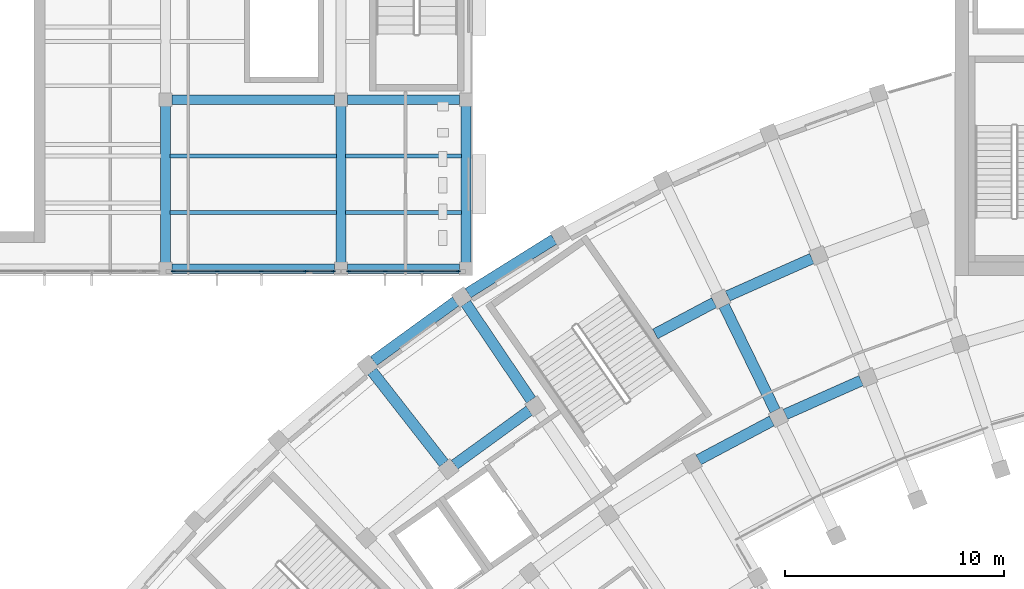
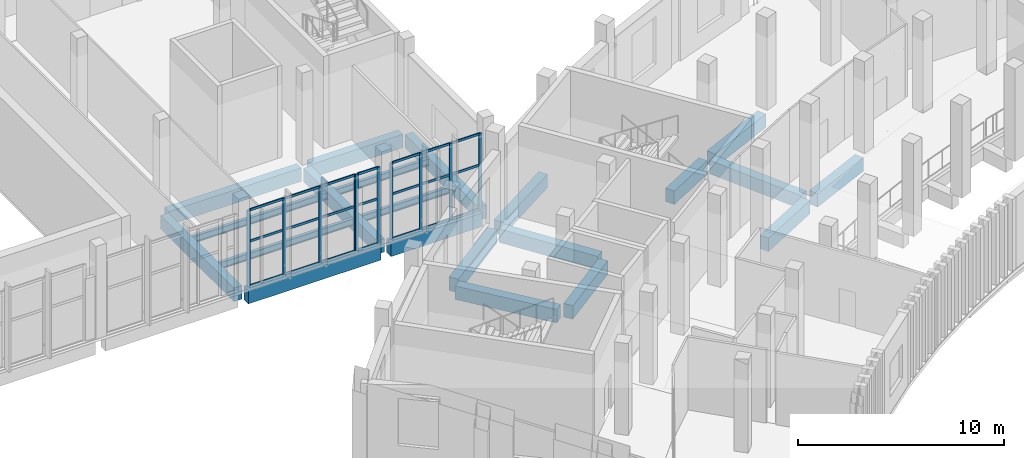
# One storey, part 8 of 112: 31 members, 21 beams, 3 elements without a shape of their own.
"""IFC4 building model written with IfcOpenShell, lengths in metres."""

from ifc_helpers import new_model, si_unit, direction, frame, origin, origin_2d, place, context, subcontext, project, spatial, rectangle, i_section, extrude, material, layer, layer_set, material_profile, profile_set, type_object, element, aggregate, save


model = new_model("IFC4")

# Units and contexts
model_context = context("Model", 3, precision=1e-05, world=origin(), true_north=direction((0.0, 1.0)))
body_context = subcontext(model_context, "Body", "Model", "MODEL_VIEW")
ifc_project = project(units=[si_unit("LENGTHUNIT", "METRE"), si_unit("AREAUNIT", "SQUARE_METRE"), si_unit("VOLUMEUNIT", "CUBIC_METRE"), si_unit("PLANEANGLEUNIT", "RADIAN"), si_unit("MASSUNIT", "GRAM", prefix="KILO")], contexts=[model_context])

# Site, building, storey
site_placement = place(None, origin())
site = spatial("IfcSite", under=ifc_project, at=site_placement, CompositionType="ELEMENT")
building_placement = place(site_placement, origin())
building = spatial("IfcBuilding", under=site, at=building_placement, Name="Lunette Opera House", CompositionType="ELEMENT")
storey_placement = place(building_placement, frame((0.0, 0.0, 6.0)))
storey = spatial("IfcBuildingStorey", under=building, at=storey_placement, Name="L01", CompositionType="ELEMENT", Elevation=6.0)

# Curtain wall, members
ifc_material_1 = material(Name="Aluminium", Category="aluminium")
ifc_layer = layer(ifc_material_1, 0.179931640625)
ifc_layer_set = layer_set([ifc_layer], Name="Aluminium")
curtain_wall_type = type_object("IfcCurtainWallType", Name="SUN FACE CURTAIN WALL", PredefinedType="NOTDEFINED", material=ifc_layer_set)
curtain_wall_1_placement = place(storey_placement, origin())
curtain_wall_1 = element("IfcCurtainWall", 1, at=curtain_wall_1_placement, inside=storey, type_object=curtain_wall_type, Name="Sun Face Curtain Wall F23-2 L01", PredefinedType="NOTDEFINED")
ifc_material_2 = material(Name="Aluminium", Category="aluminium")
ifc_material_profile_1 = material_profile(ifc_material_2, rectangle(XDim=0.06005859375, YDim=0.179931640625, at=origin_2d()), Name="MULLION 60 X 180")
ifc_profile_set_1 = profile_set([ifc_material_profile_1], Name="Aluminium")
member_type_1 = type_object("IfcMemberType", Name="MULLION 60 X 180", PredefinedType="MULLION", material=ifc_profile_set_1)
member_1_placement = place(storey_placement, frame((40.360107421875, 64.18310546875, 0.0), z_axis=(0.0, 0.0, 1.0), x_axis=(0.0, 1.0, 0.0)))
member_1 = element("IfcMember", 2, at=member_1_placement, type_object=member_type_1, Name="RW-X2026 mullion 1", PredefinedType="MULLION", context=body_context, shape_type="SweptSolid", body=[
    extrude(rectangle(XDim=0.06005859375, YDim=0.179931640625, at=origin_2d()), origin(), (0.0, 0.0, 1.0), 4.550048828125),
])
member_2_placement = place(storey_placement, frame((42.351318359375, 64.18310546875, 0.0), z_axis=(0.0, 0.0, 1.0), x_axis=(0.0, 1.0, 0.0)))
member_2 = element("IfcMember", 3, at=member_2_placement, type_object=member_type_1, Name="RW-X2026 mullion 2", PredefinedType="MULLION", context=body_context, shape_type="SweptSolid", body=[
    extrude(rectangle(XDim=0.06005859375, YDim=0.179931640625, at=origin_2d()), origin(), (0.0, 0.0, 1.0), 4.550048828125),
])
member_3_placement = place(storey_placement, frame((44.37255859375, 64.18310546875, 0.0), z_axis=(0.0, 0.0, 1.0), x_axis=(0.0, 1.0, 0.0)))
member_3 = element("IfcMember", 4, at=member_3_placement, type_object=member_type_1, Name="RW-X2026 mullion 3", PredefinedType="MULLION", context=body_context, shape_type="SweptSolid", body=[
    extrude(rectangle(XDim=0.06005859375, YDim=0.179931640625, at=origin_2d()), origin(), (0.0, 0.0, 1.0), 4.550048828125),
])
member_4_placement = place(storey_placement, frame((46.364013671875, 64.18310546875, 0.0), z_axis=(0.0, 0.0, 1.0), x_axis=(0.0, 1.0, 0.0)))
member_4 = element("IfcMember", 5, at=member_4_placement, type_object=member_type_1, Name="RW-X2026 mullion 4", PredefinedType="MULLION", context=body_context, shape_type="SweptSolid", body=[
    extrude(rectangle(XDim=0.06005859375, YDim=0.179931640625, at=origin_2d()), origin(), (0.0, 0.0, 1.0), 4.550048828125),
])

curtain_wall_2_placement = place(storey_placement, origin())
curtain_wall_2 = element("IfcCurtainWall", 6, at=curtain_wall_2_placement, inside=storey, type_object=curtain_wall_type, Name="Sun Face Curtain Wall F24-1 L01", PredefinedType="NOTDEFINED")
member_5_placement = place(storey_placement, frame((46.424072265625, 64.18310546875, 0.0), z_axis=(0.0, 0.0, 1.0), x_axis=(0.0, 1.0, 0.0)))
member_5 = element("IfcMember", 7, at=member_5_placement, type_object=member_type_1, Name="RW-X2027 mullion 1", PredefinedType="MULLION", context=body_context, shape_type="SweptSolid", body=[
    extrude(rectangle(XDim=0.06005859375, YDim=0.179931640625, at=origin_2d()), origin(), (0.0, 0.0, 1.0), 4.550048828125),
])
member_6_placement = place(storey_placement, frame((47.639892578125, 64.18310546875, 0.0), z_axis=(0.0, 0.0, 1.0), x_axis=(0.0, 1.0, 0.0)))
member_6 = element("IfcMember", 8, at=member_6_placement, type_object=member_type_1, Name="RW-X2027 mullion 2", PredefinedType="MULLION", context=body_context, shape_type="SweptSolid", body=[
    extrude(rectangle(XDim=0.06005859375, YDim=0.179931640625, at=origin_2d()), origin(), (0.0, 0.0, 1.0), 4.550048828125),
])

curtain_wall_3_placement = place(storey_placement, origin())
curtain_wall_3 = element("IfcCurtainWall", 9, at=curtain_wall_3_placement, inside=storey, type_object=curtain_wall_type, Name="Sun Face Curtain Wall F24-2 L01", PredefinedType="NOTDEFINED")
member_7_placement = place(storey_placement, frame((48.360107421875, 64.18310546875, 0.0), z_axis=(0.0, 0.0, 1.0), x_axis=(0.0, 1.0, 0.0)))
member_7 = element("IfcMember", 10, at=member_7_placement, type_object=member_type_1, Name="RW-X2028 mullion 1", PredefinedType="MULLION", context=body_context, shape_type="SweptSolid", body=[
    extrude(rectangle(XDim=0.06005859375, YDim=0.179931640625, at=origin_2d()), origin(), (0.0, 0.0, 1.0), 4.550048828125),
])
member_8_placement = place(storey_placement, frame((50.010009765625, 64.18310546875, 0.0), z_axis=(0.0, 0.0, 1.0), x_axis=(0.0, 1.0, 0.0)))
member_8 = element("IfcMember", 11, at=member_8_placement, type_object=member_type_1, Name="RW-X2028 mullion 2", PredefinedType="MULLION", context=body_context, shape_type="SweptSolid", body=[
    extrude(rectangle(XDim=0.06005859375, YDim=0.179931640625, at=origin_2d()), origin(), (0.0, 0.0, 1.0), 4.550048828125),
])
member_9_placement = place(storey_placement, frame((51.68994140625, 64.18310546875, 0.0), z_axis=(0.0, 0.0, 1.0), x_axis=(0.0, 1.0, 0.0)))
member_9 = element("IfcMember", 12, at=member_9_placement, type_object=member_type_1, Name="RW-X2028 mullion 3", PredefinedType="MULLION", context=body_context, shape_type="SweptSolid", body=[
    extrude(rectangle(XDim=0.06005859375, YDim=0.179931640625, at=origin_2d()), origin(), (0.0, 0.0, 1.0), 4.550048828125),
])
member_10_placement = place(storey_placement, frame((53.340087890625, 64.18310546875, 0.0), z_axis=(0.0, 0.0, 1.0), x_axis=(0.0, 1.0, 0.0)))
member_10 = element("IfcMember", 13, at=member_10_placement, type_object=member_type_1, Name="RW-X2028 mullion 4", PredefinedType="MULLION", context=body_context, shape_type="SweptSolid", body=[
    extrude(rectangle(XDim=0.06005859375, YDim=0.179931640625, at=origin_2d()), origin(), (0.0, 0.0, 1.0), 4.550048828125),
])

# Beams
ifc_material_3 = material(Name="Concrete C35/45", Category="concrete")
ifc_material_profile_2 = material_profile(ifc_material_3, rectangle(XDim=0.449951171875, YDim=0.800048828125, at=origin_2d()), Name="RC BEAM 450X800")
ifc_profile_set_2 = profile_set([ifc_material_profile_2], Name="Concrete C35/45")
beam_type_1 = type_object("IfcBeamType", Name="RC BEAM 450X800", PredefinedType="BEAM", material=ifc_profile_set_2)
for number, where, z_axis, x_axis, name in (
    (14, (40.0, 64.590087890625, -0.550048828125), (0.0, 1.0, 0.0), (-1.0, 0.0, 0.0), "beam-RW-L01-L01-GY40"),
    (15, (48.0, 64.590087890625, -0.550048828125), (0.0, 1.0, 0.0), (-1.0, 0.0, 0.0), "beam-RW-L01-L01-GY50"),
    (16, (53.699951171875, 64.590087890625, -0.550048828125), (0.0, 1.0, 0.0), (-1.0, 0.0, 0.0), "beam-RW-L01-L01-GY60"),
):
    element("IfcBeam", number, at=place(storey_placement, frame(where, z_axis=z_axis, x_axis=x_axis)), inside=storey, type_object=beam_type_1, Name=name, PredefinedType="BEAM", context=body_context, shape_type="SweptSolid", body=[
        extrude(rectangle(XDim=0.449951171875, YDim=0.800048828125, at=origin_2d()), origin(), (0.0, 0.0, 1.0), 7.119873046875),
    ])
beam_1_placement = place(storey_placement, frame((40.2900390625, 64.300048828125, -0.550048828125), z_axis=(1.0, 0.0, 0.0), x_axis=(0.0, 1.0, 0.0)))
element("IfcBeam", 17, at=beam_1_placement, inside=storey, type_object=beam_type_1, Name="beam-RW-L01-L01-GX40", PredefinedType="BEAM", context=body_context, shape_type="SweptSolid", body=[
    extrude(rectangle(XDim=0.449951171875, YDim=0.800048828125, at=origin_2d()), origin(), (0.0, 0.0, 1.0), 7.419921875),
])
beam_2_placement = place(storey_placement, frame((48.2900390625, 64.300048828125, -0.550048828125), z_axis=(1.0, 0.0, 0.0), x_axis=(0.0, 1.0, 0.0)))
element("IfcBeam", 18, at=beam_2_placement, inside=storey, type_object=beam_type_1, Name="beam-RW-L01-L01-GX50", PredefinedType="BEAM", context=body_context, shape_type="SweptSolid", body=[
    extrude(rectangle(XDim=0.449951171875, YDim=0.800048828125, at=origin_2d()), origin(), (0.0, 0.0, 1.0), 5.119873046875),
])
beam_3_placement = place(storey_placement, frame((40.2900390625, 72.0, -0.550048828125), z_axis=(1.0, 0.0, 0.0), x_axis=(0.0, 1.0, 0.0)))
element("IfcBeam", 19, at=beam_3_placement, inside=storey, type_object=beam_type_1, Name="beam-RW-L01-L01-GX41", PredefinedType="BEAM", context=body_context, shape_type="SweptSolid", body=[
    extrude(rectangle(XDim=0.449951171875, YDim=0.800048828125, at=origin_2d()), origin(), (0.0, 0.0, 1.0), 7.419921875),
])
beam_4_placement = place(storey_placement, frame((48.2900390625, 72.0, -0.550048828125), z_axis=(1.0, 0.0, 0.0), x_axis=(0.0, 1.0, 0.0)))
element("IfcBeam", 20, at=beam_4_placement, inside=storey, type_object=beam_type_1, Name="beam-RW-L01-L01-GX51", PredefinedType="BEAM", context=body_context, shape_type="SweptSolid", body=[
    extrude(rectangle(XDim=0.449951171875, YDim=0.800048828125, at=origin_2d()), origin(), (0.0, 0.0, 1.0), 5.119873046875),
])
ifc_material_4 = material(Name="Concrete C35/45", Category="concrete")
ifc_material_profile_3 = material_profile(ifc_material_4, rectangle(XDim=0.5, YDim=0.800048828125, at=origin_2d()), Name="RC BEAM 500X800")
ifc_profile_set_3 = profile_set([ifc_material_profile_3], Name="Concrete C35/45")
beam_type_2 = type_object("IfcBeamType", Name="RC BEAM 500X800", PredefinedType="BEAM", material=ifc_profile_set_3)
for number, where, z_axis, x_axis, name in (
    (21, (52.694091796875, 55.428955078125, -0.6201171875), (-0.615648494847, 0.788020894896, 0.0), (-0.788020894896, -0.615648494847, 0.0), "beam-FC-L01-L01-RB-RL-04-4"),
    (22, (56.666015625, 58.31494140625, -0.6201171875), (-0.559245834689, 0.829001867539, 0.0), (-0.829001867539, -0.559245834689, 0.0), "beam-FC-L01-L01-RB-RL-05-4"),
):
    element("IfcBeam", number, at=place(storey_placement, frame(where, z_axis=z_axis, x_axis=x_axis)), inside=storey, type_object=beam_type_2, Name=name, PredefinedType="BEAM", context=body_context, shape_type="SweptSolid", body=[
        extrude(rectangle(XDim=0.5, YDim=0.800048828125, at=origin_2d()), origin(), (0.0, 0.0, 1.0), 5.31982421875),
    ])
beam_5_placement = place(storey_placement, frame((67.794921875, 57.827880859375, -0.6201171875), z_axis=(-0.438307908837, 0.898824886756, 0.0), x_axis=(-0.898824886756, -0.438307908837, 0.0)))
element("IfcBeam", 23, at=beam_5_placement, inside=storey, type_object=beam_type_2, Name="beam-FC-L01-L01-RB-RL-07-3", PredefinedType="BEAM", context=body_context, shape_type="SweptSolid", body=[
    extrude(rectangle(XDim=0.5, YDim=0.800048828125, at=origin_2d()), origin(), (0.0, 0.0, 1.0), 5.320556640625),
])
for number, where, z_axis, x_axis, name in (
    (24, (64.300048828125, 55.5859375, -0.6201171875), (0.883049767383, 0.469279349988, 0.0), (-0.469279349988, 0.883049767383, 0.0), "beam-FC-L01-L01-RG-AR-B-RL-06"),
    (25, (68.2548828125, 57.660888671875, -0.6201171875), (0.913460283837, 0.406927892694, 0.0), (-0.406927892694, 0.913460283837, 0.0), "beam-FC-L01-L01-RG-AR-B-RL-07"),
):
    element("IfcBeam", number, at=place(storey_placement, frame(where, z_axis=z_axis, x_axis=x_axis)), inside=storey, type_object=beam_type_2, Name=name, PredefinedType="BEAM", context=body_context, shape_type="SweptSolid", body=[
        extrude(rectangle(XDim=0.5, YDim=0.800048828125, at=origin_2d()), origin(), (0.0, 0.0, 1.0), 3.786865234375),
    ])
beam_6_placement = place(storey_placement, frame((53.178955078125, 55.361083984375, -0.6201171875), z_axis=(0.8089996052, 0.587809185694, 0.0), x_axis=(-0.587809185694, 0.8089996052, 0.0)))
element("IfcBeam", 26, at=beam_6_placement, inside=storey, type_object=beam_type_2, Name="beam-FC-L01-L01-RG-AR-M2-RL-04", PredefinedType="BEAM", context=body_context, shape_type="SweptSolid", body=[
    extrude(rectangle(XDim=0.5, YDim=0.800048828125, at=origin_2d()), origin(), (0.0, 0.0, 1.0), 4.205322265625),
])
beam_7_placement = place(storey_placement, frame((62.324951171875, 61.325927734375, -0.6201171875), z_axis=(0.882889359825, 0.469581066811, 0.0), x_axis=(-0.469581066811, 0.882889359825, 0.0)))
element("IfcBeam", 27, at=beam_7_placement, inside=storey, type_object=beam_type_2, Name="beam-FC-L01-L01-RG-AR-M2-RL-06", PredefinedType="BEAM", context=body_context, shape_type="SweptSolid", body=[
    extrude(rectangle(XDim=0.5, YDim=0.800048828125, at=origin_2d()), origin(), (0.0, 0.0, 1.0), 3.045654296875),
])
beam_8_placement = place(storey_placement, frame((65.625, 63.053955078125, -0.6201171875), z_axis=(0.913514477547, 0.40680621838, 0.0), x_axis=(-0.40680621838, 0.913514477547, 0.0)))
element("IfcBeam", 28, at=beam_8_placement, inside=storey, type_object=beam_type_2, Name="beam-FC-L01-L01-RG-AR-M2-RL-07", PredefinedType="BEAM", context=body_context, shape_type="SweptSolid", body=[
    extrude(rectangle(XDim=0.5, YDim=0.800048828125, at=origin_2d()), origin(), (0.0, 0.0, 1.0), 4.205810546875),
])
for number, where, z_axis, x_axis, name in (
    (29, (49.485107421875, 60.089111328125, -0.6201171875), (0.809037359893, 0.58775722054, 0.0), (-0.58775722054, 0.809037359893, 0.0), "beam-FC-L01-L01-RG-AR-C-RL-04"),
    (30, (53.7900390625, 63.18701171875, -0.6201171875), (0.847962706809, 0.530055891261, 0.0), (-0.530055891261, 0.847962706809, 0.0), "beam-FC-L01-L01-RG-AR-C-RL-05"),
):
    element("IfcBeam", number, at=place(storey_placement, frame(where, z_axis=z_axis, x_axis=x_axis)), inside=storey, type_object=beam_type_2, Name=name, PredefinedType="BEAM", context=body_context, shape_type="SweptSolid", body=[
        extrude(rectangle(XDim=0.5, YDim=0.800048828125, at=origin_2d()), origin(), (0.0, 0.0, 1.0), 4.6240234375),
    ])
ifc_material_5 = material(Name="Steel S355", Category="steel")
ifc_material_profile_4 = material_profile(ifc_material_5, i_section(OverallWidth=0.179931640625, OverallDepth=0.39990234375, WebThickness=0.008544921875, FlangeThickness=0.013427734375, FilletRadius=0.02099609375, at=origin_2d()), Name="IPE 400")
ifc_profile_set_4 = profile_set([ifc_material_profile_4], Name="Steel S355")
beam_type_3 = type_object("IfcBeamType", Name="STEEL BEAM IPE 400", PredefinedType="BEAM", material=ifc_profile_set_4)
for number, where, z_axis, x_axis, name in (
    (31, (40.215087890625, 66.866943359375, -0.35009765625), (1.0, 0.0, 0.0), (0.0, 1.0, 0.0), "beam-RW-L01-L01-SX401"),
    (32, (40.215087890625, 69.43310546875, -0.35009765625), (1.0, 0.0, 0.0), (0.0, 1.0, 0.0), "beam-RW-L01-L01-SX402"),
):
    element("IfcBeam", number, at=place(storey_placement, frame(where, z_axis=z_axis, x_axis=x_axis)), inside=storey, type_object=beam_type_3, Name=name, PredefinedType="BEAM", context=body_context, shape_type="SweptSolid", body=[
        extrude(i_section(OverallWidth=0.179931640625, OverallDepth=0.39990234375, WebThickness=0.008544921875, FlangeThickness=0.013427734375, FilletRadius=0.02099609375, at=origin_2d()), origin(), (0.0, 0.0, 1.0), 7.56982421875),
    ])
for number, where, z_axis, x_axis, name in (
    (33, (48.215087890625, 66.866943359375, -0.35009765625), (1.0, 0.0, 0.0), (0.0, 1.0, 0.0), "beam-RW-L01-L01-SX501"),
    (34, (48.215087890625, 69.43310546875, -0.35009765625), (1.0, 0.0, 0.0), (0.0, 1.0, 0.0), "beam-RW-L01-L01-SX502"),
):
    element("IfcBeam", number, at=place(storey_placement, frame(where, z_axis=z_axis, x_axis=x_axis)), inside=storey, type_object=beam_type_3, Name=name, PredefinedType="BEAM", context=body_context, shape_type="SweptSolid", body=[
        extrude(i_section(OverallWidth=0.179931640625, OverallDepth=0.39990234375, WebThickness=0.008544921875, FlangeThickness=0.013427734375, FilletRadius=0.02099609375, at=origin_2d()), origin(), (0.0, 0.0, 1.0), 5.27001953125),
    ])

# Member
ifc_material_6 = material(Name="Aluminium", Category="aluminium")
ifc_material_profile_5 = material_profile(ifc_material_6, rectangle(XDim=0.06005859375, YDim=0.139892578125, at=origin_2d()), Name="TRANSOM 60 X 140")
ifc_profile_set_5 = profile_set([ifc_material_profile_5], Name="Aluminium")
member_type_2 = type_object("IfcMemberType", Name="TRANSOM 60 X 140", PredefinedType="USERDEFINED", material=ifc_profile_set_5)
member_11_placement = place(storey_placement, frame((40.389892578125, 64.18310546875, 0.030029296875), z_axis=(1.0, 0.0, 0.0), x_axis=(0.0, 1.0, 0.0)))
member_11 = element("IfcMember", 35, at=member_11_placement, type_object=member_type_2, Name="RW-X2026 transom 1.1", ObjectType="TRANSOM", PredefinedType="USERDEFINED", context=body_context, shape_type="SweptSolid", body=[
    extrude(rectangle(XDim=0.06005859375, YDim=0.139892578125, at=origin_2d()), origin(), (0.0, 0.0, 1.0), 1.931396484375),
])

member_12_placement = place(storey_placement, frame((40.389892578125, 64.18310546875, 2.675048828125), z_axis=(1.0, 0.0, 0.0), x_axis=(0.0, 1.0, 0.0)))
member_12 = element("IfcMember", 36, at=member_12_placement, type_object=member_type_2, Name="RW-X2026 transom 1.2", ObjectType="TRANSOM", PredefinedType="USERDEFINED", context=body_context, shape_type="SweptSolid", body=[
    extrude(rectangle(XDim=0.06005859375, YDim=0.139892578125, at=origin_2d()), origin(), (0.0, 0.0, 1.0), 1.931396484375),
])

member_13_placement = place(storey_placement, frame((40.389892578125, 64.18310546875, 4.52001953125), z_axis=(1.0, 0.0, 0.0), x_axis=(0.0, 1.0, 0.0)))
member_13 = element("IfcMember", 37, at=member_13_placement, type_object=member_type_2, Name="RW-X2026 transom 1.3", ObjectType="TRANSOM", PredefinedType="USERDEFINED", context=body_context, shape_type="SweptSolid", body=[
    extrude(rectangle(XDim=0.06005859375, YDim=0.139892578125, at=origin_2d()), origin(), (0.0, 0.0, 1.0), 1.931396484375),
])

member_14_placement = place(storey_placement, frame((42.38134765625, 64.18310546875, 0.030029296875), z_axis=(1.0, 0.0, 0.0), x_axis=(0.0, 1.0, 0.0)))
member_14 = element("IfcMember", 38, at=member_14_placement, type_object=member_type_2, Name="RW-X2026 transom 2.1", ObjectType="TRANSOM", PredefinedType="USERDEFINED", context=body_context, shape_type="SweptSolid", body=[
    extrude(rectangle(XDim=0.06005859375, YDim=0.139892578125, at=origin_2d()), origin(), (0.0, 0.0, 1.0), 1.96142578125),
])

member_15_placement = place(storey_placement, frame((42.38134765625, 64.18310546875, 2.675048828125), z_axis=(1.0, 0.0, 0.0), x_axis=(0.0, 1.0, 0.0)))
member_15 = element("IfcMember", 39, at=member_15_placement, type_object=member_type_2, Name="RW-X2026 transom 2.2", ObjectType="TRANSOM", PredefinedType="USERDEFINED", context=body_context, shape_type="SweptSolid", body=[
    extrude(rectangle(XDim=0.06005859375, YDim=0.139892578125, at=origin_2d()), origin(), (0.0, 0.0, 1.0), 1.96142578125),
])

member_16_placement = place(storey_placement, frame((42.38134765625, 64.18310546875, 4.52001953125), z_axis=(1.0, 0.0, 0.0), x_axis=(0.0, 1.0, 0.0)))
member_16 = element("IfcMember", 40, at=member_16_placement, type_object=member_type_2, Name="RW-X2026 transom 2.3", ObjectType="TRANSOM", PredefinedType="USERDEFINED", context=body_context, shape_type="SweptSolid", body=[
    extrude(rectangle(XDim=0.06005859375, YDim=0.139892578125, at=origin_2d()), origin(), (0.0, 0.0, 1.0), 1.96142578125),
])

member_17_placement = place(storey_placement, frame((44.402587890625, 64.18310546875, 0.030029296875), z_axis=(1.0, 0.0, 0.0), x_axis=(0.0, 1.0, 0.0)))
member_17 = element("IfcMember", 41, at=member_17_placement, type_object=member_type_2, Name="RW-X2026 transom 3.1", ObjectType="TRANSOM", PredefinedType="USERDEFINED", context=body_context, shape_type="SweptSolid", body=[
    extrude(rectangle(XDim=0.06005859375, YDim=0.139892578125, at=origin_2d()), origin(), (0.0, 0.0, 1.0), 1.931396484375),
])

member_18_placement = place(storey_placement, frame((44.402587890625, 64.18310546875, 2.675048828125), z_axis=(1.0, 0.0, 0.0), x_axis=(0.0, 1.0, 0.0)))
member_18 = element("IfcMember", 42, at=member_18_placement, type_object=member_type_2, Name="RW-X2026 transom 3.2", ObjectType="TRANSOM", PredefinedType="USERDEFINED", context=body_context, shape_type="SweptSolid", body=[
    extrude(rectangle(XDim=0.06005859375, YDim=0.139892578125, at=origin_2d()), origin(), (0.0, 0.0, 1.0), 1.931396484375),
])

member_19_placement = place(storey_placement, frame((44.402587890625, 64.18310546875, 4.52001953125), z_axis=(1.0, 0.0, 0.0), x_axis=(0.0, 1.0, 0.0)))
member_19 = element("IfcMember", 43, at=member_19_placement, type_object=member_type_2, Name="RW-X2026 transom 3.3", ObjectType="TRANSOM", PredefinedType="USERDEFINED", context=body_context, shape_type="SweptSolid", body=[
    extrude(rectangle(XDim=0.06005859375, YDim=0.139892578125, at=origin_2d()), origin(), (0.0, 0.0, 1.0), 1.931396484375),
])

aggregate(curtain_wall_1, [member_1, member_2, member_3, member_4, member_11, member_12, member_13, member_14, member_15, member_16, member_17, member_18, member_19])

member_20_placement = place(storey_placement, frame((46.4541015625, 64.18310546875, 0.030029296875), z_axis=(1.0, 0.0, 0.0), x_axis=(0.0, 1.0, 0.0)))
member_20 = element("IfcMember", 44, at=member_20_placement, type_object=member_type_2, Name="RW-X2027 transom 1.1", ObjectType="TRANSOM", PredefinedType="USERDEFINED", context=body_context, shape_type="SweptSolid", body=[
    extrude(rectangle(XDim=0.06005859375, YDim=0.139892578125, at=origin_2d()), origin(), (0.0, 0.0, 1.0), 1.156005859375),
])

member_21_placement = place(storey_placement, frame((46.4541015625, 64.18310546875, 2.675048828125), z_axis=(1.0, 0.0, 0.0), x_axis=(0.0, 1.0, 0.0)))
member_21 = element("IfcMember", 45, at=member_21_placement, type_object=member_type_2, Name="RW-X2027 transom 1.2", ObjectType="TRANSOM", PredefinedType="USERDEFINED", context=body_context, shape_type="SweptSolid", body=[
    extrude(rectangle(XDim=0.06005859375, YDim=0.139892578125, at=origin_2d()), origin(), (0.0, 0.0, 1.0), 1.156005859375),
])

member_22_placement = place(storey_placement, frame((46.4541015625, 64.18310546875, 4.52001953125), z_axis=(1.0, 0.0, 0.0), x_axis=(0.0, 1.0, 0.0)))
member_22 = element("IfcMember", 46, at=member_22_placement, type_object=member_type_2, Name="RW-X2027 transom 1.3", ObjectType="TRANSOM", PredefinedType="USERDEFINED", context=body_context, shape_type="SweptSolid", body=[
    extrude(rectangle(XDim=0.06005859375, YDim=0.139892578125, at=origin_2d()), origin(), (0.0, 0.0, 1.0), 1.156005859375),
])

aggregate(curtain_wall_2, [member_5, member_6, member_20, member_21, member_22])

member_23_placement = place(storey_placement, frame((48.389892578125, 64.18310546875, 0.030029296875), z_axis=(1.0, 0.0, 0.0), x_axis=(0.0, 1.0, 0.0)))
member_23 = element("IfcMember", 47, at=member_23_placement, type_object=member_type_2, Name="RW-X2028 transom 1.1", ObjectType="TRANSOM", PredefinedType="USERDEFINED", context=body_context, shape_type="SweptSolid", body=[
    extrude(rectangle(XDim=0.06005859375, YDim=0.139892578125, at=origin_2d()), origin(), (0.0, 0.0, 1.0), 1.590087890625),
])

member_24_placement = place(storey_placement, frame((48.389892578125, 64.18310546875, 2.675048828125), z_axis=(1.0, 0.0, 0.0), x_axis=(0.0, 1.0, 0.0)))
member_24 = element("IfcMember", 48, at=member_24_placement, type_object=member_type_2, Name="RW-X2028 transom 1.2", ObjectType="TRANSOM", PredefinedType="USERDEFINED", context=body_context, shape_type="SweptSolid", body=[
    extrude(rectangle(XDim=0.06005859375, YDim=0.139892578125, at=origin_2d()), origin(), (0.0, 0.0, 1.0), 1.590087890625),
])

member_25_placement = place(storey_placement, frame((48.389892578125, 64.18310546875, 4.52001953125), z_axis=(1.0, 0.0, 0.0), x_axis=(0.0, 1.0, 0.0)))
member_25 = element("IfcMember", 49, at=member_25_placement, type_object=member_type_2, Name="RW-X2028 transom 1.3", ObjectType="TRANSOM", PredefinedType="USERDEFINED", context=body_context, shape_type="SweptSolid", body=[
    extrude(rectangle(XDim=0.06005859375, YDim=0.139892578125, at=origin_2d()), origin(), (0.0, 0.0, 1.0), 1.590087890625),
])

member_26_placement = place(storey_placement, frame((50.0400390625, 64.18310546875, 0.030029296875), z_axis=(1.0, 0.0, 0.0), x_axis=(0.0, 1.0, 0.0)))
member_26 = element("IfcMember", 50, at=member_26_placement, type_object=member_type_2, Name="RW-X2028 transom 2.1", ObjectType="TRANSOM", PredefinedType="USERDEFINED", context=body_context, shape_type="SweptSolid", body=[
    extrude(rectangle(XDim=0.06005859375, YDim=0.139892578125, at=origin_2d()), origin(), (0.0, 0.0, 1.0), 1.619873046875),
])

member_27_placement = place(storey_placement, frame((50.0400390625, 64.18310546875, 2.675048828125), z_axis=(1.0, 0.0, 0.0), x_axis=(0.0, 1.0, 0.0)))
member_27 = element("IfcMember", 51, at=member_27_placement, type_object=member_type_2, Name="RW-X2028 transom 2.2", ObjectType="TRANSOM", PredefinedType="USERDEFINED", context=body_context, shape_type="SweptSolid", body=[
    extrude(rectangle(XDim=0.06005859375, YDim=0.139892578125, at=origin_2d()), origin(), (0.0, 0.0, 1.0), 1.619873046875),
])

member_28_placement = place(storey_placement, frame((50.0400390625, 64.18310546875, 4.52001953125), z_axis=(1.0, 0.0, 0.0), x_axis=(0.0, 1.0, 0.0)))
member_28 = element("IfcMember", 52, at=member_28_placement, type_object=member_type_2, Name="RW-X2028 transom 2.3", ObjectType="TRANSOM", PredefinedType="USERDEFINED", context=body_context, shape_type="SweptSolid", body=[
    extrude(rectangle(XDim=0.06005859375, YDim=0.139892578125, at=origin_2d()), origin(), (0.0, 0.0, 1.0), 1.619873046875),
])

member_29_placement = place(storey_placement, frame((51.719970703125, 64.18310546875, 0.030029296875), z_axis=(1.0, 0.0, 0.0), x_axis=(0.0, 1.0, 0.0)))
member_29 = element("IfcMember", 53, at=member_29_placement, type_object=member_type_2, Name="RW-X2028 transom 3.1", ObjectType="TRANSOM", PredefinedType="USERDEFINED", context=body_context, shape_type="SweptSolid", body=[
    extrude(rectangle(XDim=0.06005859375, YDim=0.139892578125, at=origin_2d()), origin(), (0.0, 0.0, 1.0), 1.590087890625),
])

member_30_placement = place(storey_placement, frame((51.719970703125, 64.18310546875, 2.675048828125), z_axis=(1.0, 0.0, 0.0), x_axis=(0.0, 1.0, 0.0)))
member_30 = element("IfcMember", 54, at=member_30_placement, type_object=member_type_2, Name="RW-X2028 transom 3.2", ObjectType="TRANSOM", PredefinedType="USERDEFINED", context=body_context, shape_type="SweptSolid", body=[
    extrude(rectangle(XDim=0.06005859375, YDim=0.139892578125, at=origin_2d()), origin(), (0.0, 0.0, 1.0), 1.590087890625),
])

member_31_placement = place(storey_placement, frame((51.719970703125, 64.18310546875, 4.52001953125), z_axis=(1.0, 0.0, 0.0), x_axis=(0.0, 1.0, 0.0)))
member_31 = element("IfcMember", 55, at=member_31_placement, type_object=member_type_2, Name="RW-X2028 transom 3.3", ObjectType="TRANSOM", PredefinedType="USERDEFINED", context=body_context, shape_type="SweptSolid", body=[
    extrude(rectangle(XDim=0.06005859375, YDim=0.139892578125, at=origin_2d()), origin(), (0.0, 0.0, 1.0), 1.590087890625),
])

aggregate(curtain_wall_3, [member_7, member_8, member_9, member_10, member_23, member_24, member_25, member_26, member_27, member_28, member_29, member_30, member_31])

save(model, "model.ifc")
